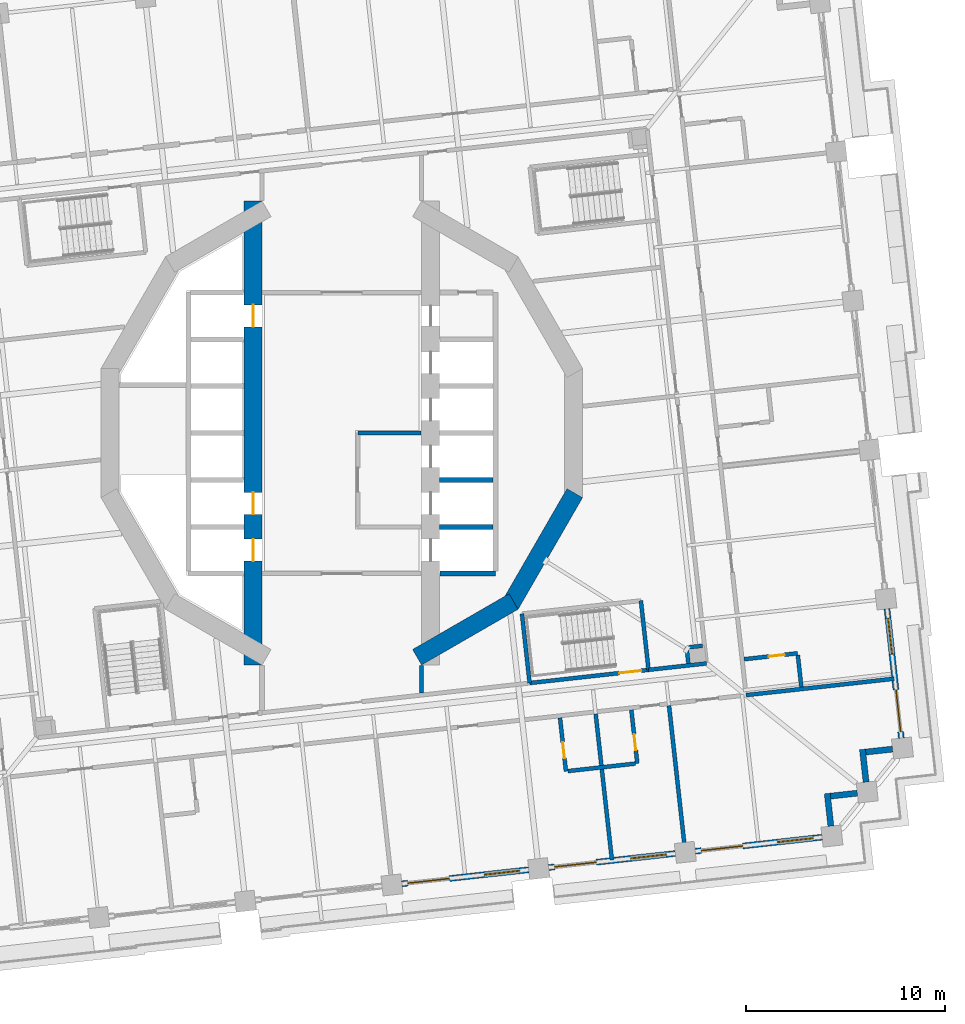
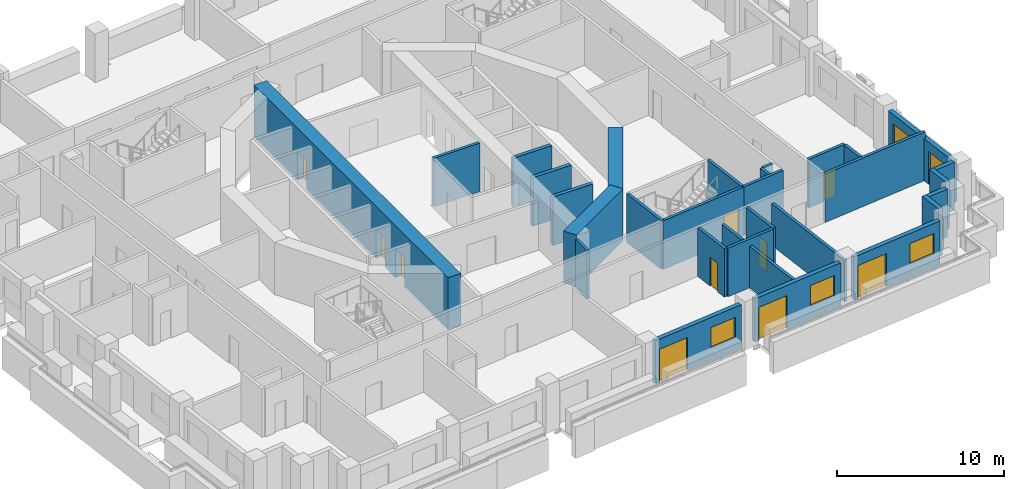
# One storey, part 6 of 19: 30 walls, 11 doors, 4 windows, 15 openings.
"""IFC4 building model written with IfcOpenShell, lengths in metres."""

import ifcopenshell
import ifcopenshell.guid

model = None  # the IFC model being written
_history = None  # IfcOwnerHistory: only IFC2X3 demands one
_inside = {}  # id of a spatial element -> (the spatial element, [elements in it])
_under = {}  # id of a project, library or spatial element -> (it, [spatial elements below it])
_declared = {}  # id of a project -> (the project, [libraries it declares])
_typed = {}  # id of a type object -> (the type object, [elements of that type])
_made_of = {}  # id of a material, layer set ... -> (it, [elements and type objects made of it])


def new_model(schema):
    """Start an empty IFC model of exactly this schema.

    Asked for "IFC4X3", IfcOpenShell would pick the latest addendum, in which some entities
    have other attributes; the version numbers below select the first issue.
    IFC2X3 requires an IfcOwnerHistory on every rooted entity: one is made here for all.
    """
    global model, _history
    if schema == "IFC4X3":
        model = ifcopenshell.file(schema_version=(4, 3, 0, 0))
    else:
        model = ifcopenshell.file(schema=schema)
    _inside.clear()
    _under.clear()
    _declared.clear()
    _typed.clear()
    _made_of.clear()
    _history = None
    if model.schema == "IFC2X3":
        org = make("IfcOrganization", Name="unknown")
        user = make(
            "IfcPersonAndOrganization",
            ThePerson=make("IfcPerson", FamilyName="unknown"),
            TheOrganization=org,
        )
        app = make(
            "IfcApplication",
            ApplicationDeveloper=org,
            Version="unknown",
            ApplicationFullName="unknown",
            ApplicationIdentifier="unknown",
        )
        _history = make(
            "IfcOwnerHistory",
            OwningUser=user,
            OwningApplication=app,
            ChangeAction="ADDED",
            CreationDate=0,
        )
    return model


def make(cls, **values):
    """One entity of the class cls with the attributes given. An attribute that is None is left unset."""
    return model.create_entity(
        cls, **{name: value for name, value in values.items() if value is not None}
    )


def rooted(cls, **values):
    """An entity with a GlobalId (a new one), such as an element, a storey or a relation."""
    return make(cls, GlobalId=ifcopenshell.guid.new(), OwnerHistory=_history, **values)


def si_unit(unit_type, name, prefix=None):
    """IfcSIUnit, for example si_unit("LENGTHUNIT", "METRE", prefix="MILLI")."""
    return make("IfcSIUnit", UnitType=unit_type, Prefix=prefix, Name=name)


def assignment(units):
    """IfcUnitAssignment: the units of a project."""
    return None if units is None else make("IfcUnitAssignment", Units=units)


def point(xyz):
    """IfcCartesianPoint."""
    return None if xyz is None else make("IfcCartesianPoint", Coordinates=xyz)


def direction(xyz):
    """IfcDirection."""
    return None if xyz is None else make("IfcDirection", DirectionRatios=xyz)


def frame(location, z_axis=None, x_axis=None):
    """IfcAxis2Placement3D, a coordinate frame: its origin and axes. An axis left out is left unset."""
    return make(
        "IfcAxis2Placement3D",
        Location=point(location),
        Axis=direction(z_axis),
        RefDirection=direction(x_axis),
    )


def frame_2d(location, x_axis=None):
    """IfcAxis2Placement2D, a coordinate frame in the plane: its origin and x axis."""
    return make(
        "IfcAxis2Placement2D", Location=point(location), RefDirection=direction(x_axis)
    )


def origin():
    """The frame at (0, 0, 0) with its axes left unset."""
    return frame((0.0, 0.0, 0.0))


def place(relative_to, where):
    """IfcLocalPlacement: puts the frame where relative to a parent placement (None: the world)."""
    return make(
        "IfcLocalPlacement", PlacementRelTo=relative_to, RelativePlacement=where
    )


def context(
    kind, dimensions, precision=None, world=None, true_north=None, identifier=None
):
    """IfcGeometricRepresentationContext, for example the 3D "Model" context."""
    return make(
        "IfcGeometricRepresentationContext",
        ContextIdentifier=identifier,
        ContextType=kind,
        CoordinateSpaceDimension=dimensions,
        Precision=precision,
        WorldCoordinateSystem=world,
        TrueNorth=true_north,
    )


def subcontext(parent, identifier, kind, view, scale=None):
    """IfcGeometricRepresentationSubContext, for example "Body" below "Model"."""
    return make(
        "IfcGeometricRepresentationSubContext",
        ContextIdentifier=identifier,
        ContextType=kind,
        ParentContext=parent,
        TargetScale=scale,
        TargetView=view,
    )


def project(units=None, contexts=None):
    """IfcProject with its units and contexts."""
    return rooted(
        "IfcProject",
        Name="project",
        RepresentationContexts=contexts,
        UnitsInContext=assignment(units),
    )


def spatial(cls, under=None, at=None, **own):
    """A site, building, storey or space (cls), placed at a placement, below another one or the project."""
    s = rooted(cls, ObjectPlacement=at, **own)
    if under is not None:
        _under.setdefault(under.id(), (under, []))[1].append(s)
    return s


def profile(cls, at=None, kind="AREA", **sizes):
    """A parametric profile (cls). Its sizes go by their IFC names, for example OverallWidth=200.0."""
    return make(cls, ProfileType=kind, Position=at, **sizes)


def rectangle(**sizes):
    """IfcRectangleProfileDef."""
    return profile("IfcRectangleProfileDef", **sizes)


def extrude(swept, where, along, depth):
    """IfcExtrudedAreaSolid: the profile swept, set in the frame where, extruded along a direction by depth."""
    return make(
        "IfcExtrudedAreaSolid",
        SweptArea=swept,
        Position=where,
        ExtrudedDirection=direction(along),
        Depth=depth,
    )


def shape(context_of_items, identifier, shape_type, items):
    """IfcShapeRepresentation: the items that make up one representation, for example the "Body"."""
    return make(
        "IfcShapeRepresentation",
        ContextOfItems=context_of_items,
        RepresentationIdentifier=identifier,
        RepresentationType=shape_type,
        Items=items,
    )


def material(Name=None, Category=None):
    """IfcMaterial."""
    return make("IfcMaterial", Name=Name, Category=Category)


def layer(
    of_material, thickness, ventilated=None, Name=None, Category=None, Priority=None
):
    """IfcMaterialLayer: one layer of a wall or slab, of a material (None: an air gap)."""
    return make(
        "IfcMaterialLayer",
        Material=of_material,
        LayerThickness=thickness,
        IsVentilated=ventilated,
        Name=Name,
        Category=Category,
        Priority=Priority,
    )


def layer_set(layers, Name=None):
    """IfcMaterialLayerSet."""
    return make("IfcMaterialLayerSet", MaterialLayers=layers, LayerSetName=Name)


def made_of(thing, what):
    """Note that an element or type object is made of a material, layer set ...; save() writes the relation."""
    if what is not None:
        _made_of.setdefault(what.id(), (what, []))[1].append(thing)
    return thing


def type_object(cls, material=None, **own):
    """A type object (cls), such as IfcWallType, which elements share."""
    return made_of(rooted(cls, **own), material)


def element(
    cls,
    number,
    at=None,
    inside=None,
    cuts=None,
    type_object=None,
    material=None,
    context=None,
    identifier="Body",
    shape_type=None,
    held_by="IfcProductDefinitionShape",
    body=None,
    shapes=None,
    **own,
):
    """One element of the class cls, such as IfcWall. Its Tag is "e" and its number.

    at: its placement. inside: the storey or other place that contains it. cuts: it is an
    opening in that element (IfcRelVoidsElement). A single representation is given by context,
    identifier, shape_type and body (its items); several are given by shapes. held_by: the class
    of the entity that holds the representations. save() writes the other relations.
    """
    e = rooted(cls, Tag="e%d" % number, ObjectPlacement=at, **own)
    if body is not None:
        shapes = [shape(context, identifier, shape_type, body)]
    if shapes is not None:
        e.Representation = make(held_by, Representations=shapes)
    if inside is not None:
        _inside.setdefault(inside.id(), (inside, []))[1].append(e)
    if cuts is not None:
        rooted(
            "IfcRelVoidsElement", RelatingBuildingElement=cuts, RelatedOpeningElement=e
        )
    if type_object is not None:
        _typed.setdefault(type_object.id(), (type_object, []))[1].append(e)
    return made_of(e, material)


def fill(opening, filler):
    """IfcRelFillsElement: the door or window that sits in an opening."""
    return rooted(
        "IfcRelFillsElement",
        RelatingOpeningElement=opening,
        RelatedBuildingElement=filler,
    )


def aggregate(whole, parts):
    """IfcRelAggregates: a whole, such as a stair, and the parts it consists of."""
    return rooted("IfcRelAggregates", RelatingObject=whole, RelatedObjects=parts)


def save(model, path):
    """Write the relations noted so far, then the file.

    IfcRelAggregates (storeys below a building ...), IfcRelContainedInSpatialStructure (elements
    in a storey), IfcRelDefinesByType, IfcRelAssociatesMaterial and IfcRelDeclares: one each for
    every whole, place, type object, material and project.
    """
    for whole, parts in _under.values():
        aggregate(whole, parts)
    for where, things in _inside.values():
        rooted(
            "IfcRelContainedInSpatialStructure",
            RelatedElements=things,
            RelatingStructure=where,
        )
    for kind, things in _typed.values():
        rooted("IfcRelDefinesByType", RelatedObjects=things, RelatingType=kind)
    for what, things in _made_of.values():
        rooted("IfcRelAssociatesMaterial", RelatedObjects=things, RelatingMaterial=what)
    for by, libraries in _declared.values():
        rooted("IfcRelDeclares", RelatingContext=by, RelatedDefinitions=libraries)
    model.write(path)


model = new_model("IFC4")

# Units and contexts
model_context = context("Model", 3, precision=1e-05, world=origin(), true_north=direction((0.0, 1.0)))
body_context = subcontext(model_context, "Body", "Model", "MODEL_VIEW")
ifc_project = project(units=[si_unit("LENGTHUNIT", "METRE"), si_unit("AREAUNIT", "SQUARE_METRE"), si_unit("VOLUMEUNIT", "CUBIC_METRE"), si_unit("PLANEANGLEUNIT", "RADIAN"), si_unit("MASSUNIT", "GRAM", prefix="KILO")], contexts=[model_context])

# Site, building, storey
site_placement = place(None, origin())
site = spatial("IfcSite", under=ifc_project, at=site_placement, CompositionType="ELEMENT")
building_placement = place(site_placement, origin())
building = spatial("IfcBuilding", under=site, at=building_placement, Name="Cantera Rosa Tower", CompositionType="ELEMENT")
storey_placement = place(building_placement, frame((0.0, 0.0, 53.89990234375)))
storey = spatial("IfcBuildingStorey", under=building, at=storey_placement, Name="L10", CompositionType="ELEMENT", Elevation=53.89990234375)

# Walls
ifc_material_1 = material(Name="Gypsum board partition")
ifc_layer_1 = layer(ifc_material_1, 0.199951171875)
ifc_layer_set_1 = layer_set([ifc_layer_1], Name="CORRIDOR WALL 200 H3550")
wall_type_1 = type_object("IfcWallType", Name="CORRIDOR WALL 200 H3550", PredefinedType="PARTITIONING", material=ifc_layer_set_1)
wall_1_placement = place(storey_placement, frame((4.0, -13.038818359375, 0.0), z_axis=(0.0, 0.0, 1.0), x_axis=(0.0, 1.0, 0.0)))
element("IfcWall", 1, at=wall_1_placement, inside=storey, type_object=wall_type_1, Name="CORRIDOR WALL L10-059", PredefinedType="PARTITIONING", context=body_context, shape_type="SweptSolid", body=[
    extrude(rectangle(XDim=1.37158203125, YDim=0.199951171875, at=frame_2d((0.685791015625, 0.0))), origin(), (0.0, 0.0, 1.0), 3.550048828125),
])
wall_2_placement = place(storey_placement, frame((15.382080078125, -11.87548828125, 0.0), z_axis=(0.0, 0.0, 1.0), x_axis=(0.993899009794, 0.110293963256, 0.0)))
element("IfcWall", 2, at=wall_2_placement, inside=storey, type_object=wall_type_1, Name="CORRIDOR WALL L10-086", PredefinedType="PARTITIONING", context=body_context, shape_type="SweptSolid", body=[
    extrude(rectangle(XDim=2.921875, YDim=0.199951171875, at=frame_2d((1.4609375, 0.0))), origin(), (0.0, 0.0, 1.0), 3.550048828125),
])
ifc_material_2 = material(Name="Hollow clay masonry with cantera stone cladding", Category="masonry")
ifc_layer_2 = layer(ifc_material_2, 0.300048828125)
ifc_layer_set_2 = layer_set([ifc_layer_2], Name="EW-LOGGIA 300")
wall_type_2 = type_object("IfcWallType", Name="EW-LOGGIA 300", PredefinedType="SOLIDWALL", material=ifc_layer_set_2)
wall_3_placement = place(storey_placement, frame((24.5244140625, -19.71484375, 0.0), z_axis=(0.0, 0.0, 1.0), x_axis=(-0.110236638423, 0.993905369514, 0.0)))
element("IfcWall", 3, at=wall_3_placement, inside=storey, type_object=wall_type_2, Name="EN-L10-W29a", PredefinedType="SOLIDWALL", context=body_context, shape_type="SweptSolid", body=[
    extrude(rectangle(XDim=1.64990234375, YDim=0.300048828125, at=frame_2d((0.824951171875, 0.0))), origin(), (0.0, 0.0, 1.0), 3.5),
])
wall_4_placement = place(storey_placement, frame((24.508056640625, -18.20751953125, 0.0), z_axis=(0.0, 0.0, 1.0), x_axis=(0.993896959738, 0.110312435488, 0.0)))
element("IfcWall", 4, at=wall_4_placement, inside=storey, type_object=wall_type_2, Name="EN-L10-W29b", PredefinedType="SOLIDWALL", context=body_context, shape_type="SweptSolid", body=[
    extrude(rectangle(XDim=1.35009765625, YDim=0.300048828125, at=frame_2d((0.675048828125, 0.0))), origin(), (0.0, 0.0, 1.0), 3.5),
])
wall_5_placement = place(storey_placement, frame((26.291748046875, -17.506591796875, 0.0), z_axis=(0.0, 0.0, 1.0), x_axis=(-0.110382805355, 0.993889146878, 0.0)))
element("IfcWall", 5, at=wall_5_placement, inside=storey, type_object=wall_type_2, Name="EN-L10-W30a", PredefinedType="SOLIDWALL", context=body_context, shape_type="SweptSolid", body=[
    extrude(rectangle(XDim=1.64990234375, YDim=0.300048828125, at=frame_2d((0.824951171875, 0.0))), origin(), (0.0, 0.0, 1.0), 3.5),
])
wall_6_placement = place(storey_placement, frame((26.275146484375, -15.999267578125, 0.0), z_axis=(0.0, 0.0, 1.0), x_axis=(0.993896959738, 0.110312435488, 0.0)))
element("IfcWall", 6, at=wall_6_placement, inside=storey, type_object=wall_type_2, Name="EN-L10-W30b", PredefinedType="SOLIDWALL", context=body_context, shape_type="SweptSolid", body=[
    extrude(rectangle(XDim=1.35009765625, YDim=0.300048828125, at=frame_2d((0.675048828125, 0.0))), origin(), (0.0, 0.0, 1.0), 3.5),
])

# Wall, openings, window, door
ifc_material_3 = material(Name="Hollow clay masonry with cantera stone cladding", Category="masonry")
ifc_layer_3 = layer(ifc_material_3, 0.300048828125)
ifc_layer_set_3 = layer_set([ifc_layer_3], Name="EW-LOGGIA 300 H3090")
wall_type_3 = type_object("IfcWallType", Name="EW-LOGGIA 300 H3090", PredefinedType="SOLIDWALL", material=ifc_layer_set_3)
wall_7_placement = place(storey_placement, frame((28.058837890625, -15.298095703125, 0.0), z_axis=(0.0, 0.0, 1.0), x_axis=(-0.110312341265, 0.993896970196, 0.0)))
wall_7 = element("IfcWall", 7, at=wall_7_placement, inside=storey, type_object=wall_type_3, Name="EN-L10-W01", PredefinedType="SOLIDWALL", context=body_context, shape_type="SweptSolid", body=[
    extrude(rectangle(XDim=6.52001953125, YDim=0.300048828125, at=frame_2d((3.260009765625, 0.0))), origin(), (0.0, 0.0, 1.0), 3.090087890625),
])
opening_1_placement = place(wall_7_placement, frame((0.330078125, 0.0, 0.0)))
opening_1 = element("IfcOpeningElement", 8, at=opening_1_placement, cuts=wall_7, Name="Opening L10-TD01", PredefinedType="OPENING", context=body_context, shape_type="SweptSolid", body=[
    extrude(rectangle(XDim=2.10009765625, YDim=2.39990234375, at=frame_2d((1.050048828125, 1.199951171875))), frame((0.0, 0.159912109375, 0.0), z_axis=(0.0, -1.0, 0.0), x_axis=(1.0, 0.0, 0.0)), (0.0, 0.0, 1.0), 0.320068359375),
])
opening_2_placement = place(wall_7_placement, frame((4.239990234375, 0.0, 0.89990234375)))
opening_2 = element("IfcOpeningElement", 9, at=opening_2_placement, cuts=wall_7, Name="Opening L10-W02", PredefinedType="OPENING", context=body_context, shape_type="SweptSolid", body=[
    extrude(rectangle(XDim=1.800048828125, YDim=1.5, at=frame_2d((0.89990234375, 0.75))), frame((0.0, 0.159912109375, 0.0), z_axis=(0.0, -1.0, 0.0), x_axis=(1.0, 0.0, 0.0)), (0.0, 0.0, 1.0), 0.320068359375),
])
ifc_material_4 = material(Name="Aluminium frame with clear glass", Category="aluminium")
window_type = type_object("IfcWindowType", Name="Hotel room window 1800x1500", PartitioningType="DOUBLE_PANEL_VERTICAL", PredefinedType="WINDOW", material=ifc_material_4)
window_1_placement = place(opening_2_placement, origin())
window_1 = element("IfcWindow", 10, at=window_1_placement, inside=storey, type_object=window_type, Name="WINDOW L10-W02", OverallHeight=1.5, OverallWidth=1.800048828125, PartitioningType="SINGLE_PANEL", PredefinedType="WINDOW", context=body_context, shape_type="SweptSolid", body=[
    extrude(rectangle(XDim=1.800048828125, YDim=1.5, at=frame_2d((0.89990234375, 0.75))), frame((0.0, 0.030029296875, 0.0), z_axis=(0.0, -1.0, 0.0), x_axis=(1.0, 0.0, 0.0)), (0.0, 0.0, 1.0), 0.06005859375),
])
fill(opening_2, window_1)
ifc_material_5 = material(Name="Aluminium frame with clear glass", Category="aluminium")
door_type_1 = type_object("IfcDoorType", Name="TD-H 2100x2400", OperationType="NOTDEFINED", PredefinedType="DOOR", material=ifc_material_5)
door_1_placement = place(opening_1_placement, origin())
door_1 = element("IfcDoor", 11, at=door_1_placement, inside=storey, type_object=door_type_1, Name="LOGGIA DOOR L10-TD01", OperationType="SLIDING_TO_LEFT", OverallHeight=2.39990234375, OverallWidth=2.10009765625, PredefinedType="DOOR", context=body_context, shape_type="SweptSolid", body=[
    extrude(rectangle(XDim=2.10009765625, YDim=2.39990234375, at=frame_2d((1.050048828125, 1.199951171875))), frame((0.0, 0.02490234375, 0.0), z_axis=(0.0, -1.0, 0.0), x_axis=(1.0, 0.0, 0.0)), (0.0, 0.0, 1.0), 0.050048828125),
])
fill(opening_1, door_1)

ifc_material_6 = material(Name="Hollow clay masonry with cantera stone cladding", Category="masonry")
ifc_layer_4 = layer(ifc_material_6, 0.300048828125)
ifc_layer_set_4 = layer_set([ifc_layer_4], Name="EW-LOGGIA 300 H3140")
wall_type_4 = type_object("IfcWallType", Name="EW-LOGGIA 300 H3140", PredefinedType="SOLIDWALL", material=ifc_layer_set_4)
wall_8_placement = place(storey_placement, frame((3.011962890625, -22.605712890625, 0.0), z_axis=(0.0, 0.0, 1.0), x_axis=(0.993896288542, 0.110318482689, 0.0)))
wall_8 = element("IfcWall", 12, at=wall_8_placement, inside=storey, type_object=wall_type_4, Name="EN-L10-W26", PredefinedType="SOLIDWALL", context=body_context, shape_type="SweptSolid", body=[
    extrude(rectangle(XDim=6.400146484375, YDim=0.300048828125, at=frame_2d((3.2001953125, 0.0))), origin(), (0.0, 0.0, 1.0), 3.14013671875),
])
opening_3_placement = place(wall_8_placement, frame((0.300048828125, 0.0, 0.0)))
opening_3 = element("IfcOpeningElement", 13, at=opening_3_placement, cuts=wall_8, Name="Opening L10-TD35", PredefinedType="OPENING", context=body_context, shape_type="SweptSolid", body=[
    extrude(rectangle(XDim=2.10009765625, YDim=2.39990234375, at=frame_2d((1.050048828125, 1.199951171875))), frame((0.0, 0.159912109375, 0.0), z_axis=(0.0, -1.0, 0.0), x_axis=(1.0, 0.0, 0.0)), (0.0, 0.0, 1.0), 0.320068359375),
])
opening_4_placement = place(wall_8_placement, frame((4.14990234375, 0.0, 0.89990234375)))
opening_4 = element("IfcOpeningElement", 14, at=opening_4_placement, cuts=wall_8, Name="Opening L10-W36", PredefinedType="OPENING", context=body_context, shape_type="SweptSolid", body=[
    extrude(rectangle(XDim=1.800048828125, YDim=1.5, at=frame_2d((0.89990234375, 0.75))), frame((0.0, 0.159912109375, 0.0), z_axis=(0.0, -1.0, 0.0), x_axis=(1.0, 0.0, 0.0)), (0.0, 0.0, 1.0), 0.320068359375),
])
window_2_placement = place(opening_4_placement, origin())
window_2 = element("IfcWindow", 15, at=window_2_placement, inside=storey, type_object=window_type, Name="WINDOW L10-W36", OverallHeight=1.5, OverallWidth=1.800048828125, PartitioningType="SINGLE_PANEL", PredefinedType="WINDOW", context=body_context, shape_type="SweptSolid", body=[
    extrude(rectangle(XDim=1.800048828125, YDim=1.5, at=frame_2d((0.89990234375, 0.75))), frame((0.0, 0.030029296875, 0.0), z_axis=(0.0, -1.0, 0.0), x_axis=(1.0, 0.0, 0.0)), (0.0, 0.0, 1.0), 0.06005859375),
])
fill(opening_4, window_2)
door_2_placement = place(opening_3_placement, origin())
door_2 = element("IfcDoor", 16, at=door_2_placement, inside=storey, type_object=door_type_1, Name="LOGGIA DOOR L10-TD35", OperationType="SLIDING_TO_LEFT", OverallHeight=2.39990234375, OverallWidth=2.10009765625, PredefinedType="DOOR", context=body_context, shape_type="SweptSolid", body=[
    extrude(rectangle(XDim=2.10009765625, YDim=2.39990234375, at=frame_2d((1.050048828125, 1.199951171875))), frame((0.0, 0.02490234375, 0.0), z_axis=(0.0, -1.0, 0.0), x_axis=(1.0, 0.0, 0.0)), (0.0, 0.0, 1.0), 0.050048828125),
])
fill(opening_3, door_2)

wall_9_placement = place(storey_placement, frame((10.366943359375, -21.789306640625, 0.0), z_axis=(0.0, 0.0, 1.0), x_axis=(0.993900006422, 0.110284981906, 0.0)))
wall_9 = element("IfcWall", 17, at=wall_9_placement, inside=storey, type_object=wall_type_4, Name="EN-L10-W27", PredefinedType="SOLIDWALL", context=body_context, shape_type="SweptSolid", body=[
    extrude(rectangle(XDim=6.39990234375, YDim=0.300048828125, at=frame_2d((3.199951171875, 0.0))), origin(), (0.0, 0.0, 1.0), 3.14013671875),
])
opening_5_placement = place(wall_9_placement, frame((0.300048828125, 0.0, 0.0)))
opening_5 = element("IfcOpeningElement", 18, at=opening_5_placement, cuts=wall_9, Name="Opening L10-TD37", PredefinedType="OPENING", context=body_context, shape_type="SweptSolid", body=[
    extrude(rectangle(XDim=2.10009765625, YDim=2.39990234375, at=frame_2d((1.050048828125, 1.199951171875))), frame((0.0, 0.159912109375, 0.0), z_axis=(0.0, -1.0, 0.0), x_axis=(1.0, 0.0, 0.0)), (0.0, 0.0, 1.0), 0.320068359375),
])
opening_6_placement = place(wall_9_placement, frame((4.14990234375, 0.0, 0.89990234375)))
opening_6 = element("IfcOpeningElement", 19, at=opening_6_placement, cuts=wall_9, Name="Opening L10-W38", PredefinedType="OPENING", context=body_context, shape_type="SweptSolid", body=[
    extrude(rectangle(XDim=1.800048828125, YDim=1.5, at=frame_2d((0.89990234375, 0.75))), frame((0.0, 0.159912109375, 0.0), z_axis=(0.0, -1.0, 0.0), x_axis=(1.0, 0.0, 0.0)), (0.0, 0.0, 1.0), 0.320068359375),
])
window_3_placement = place(opening_6_placement, origin())
window_3 = element("IfcWindow", 20, at=window_3_placement, inside=storey, type_object=window_type, Name="WINDOW L10-W38", OverallHeight=1.5, OverallWidth=1.800048828125, PartitioningType="SINGLE_PANEL", PredefinedType="WINDOW", context=body_context, shape_type="SweptSolid", body=[
    extrude(rectangle(XDim=1.800048828125, YDim=1.5, at=frame_2d((0.89990234375, 0.75))), frame((0.0, 0.030029296875, 0.0), z_axis=(0.0, -1.0, 0.0), x_axis=(1.0, 0.0, 0.0)), (0.0, 0.0, 1.0), 0.06005859375),
])
fill(opening_6, window_3)
door_3_placement = place(opening_5_placement, origin())
door_3 = element("IfcDoor", 21, at=door_3_placement, inside=storey, type_object=door_type_1, Name="LOGGIA DOOR L10-TD37", OperationType="SLIDING_TO_LEFT", OverallHeight=2.39990234375, OverallWidth=2.10009765625, PredefinedType="DOOR", context=body_context, shape_type="SweptSolid", body=[
    extrude(rectangle(XDim=2.10009765625, YDim=2.39990234375, at=frame_2d((1.050048828125, 1.199951171875))), frame((0.0, 0.02490234375, 0.0), z_axis=(0.0, -1.0, 0.0), x_axis=(1.0, 0.0, 0.0)), (0.0, 0.0, 1.0), 0.050048828125),
])
fill(opening_5, door_3)

wall_10_placement = place(storey_placement, frame((17.7216796875, -20.97314453125, 0.0), z_axis=(0.0, 0.0, 1.0), x_axis=(0.993896288542, 0.110318482689, 0.0)))
wall_10 = element("IfcWall", 22, at=wall_10_placement, inside=storey, type_object=wall_type_4, Name="EN-L10-W28", PredefinedType="SOLIDWALL", context=body_context, shape_type="SweptSolid", body=[
    extrude(rectangle(XDim=6.400146484375, YDim=0.300048828125, at=frame_2d((3.2001953125, 0.0))), origin(), (0.0, 0.0, 1.0), 3.14013671875),
])
opening_7_placement = place(wall_10_placement, frame((0.300048828125, 0.0, 0.0)))
opening_7 = element("IfcOpeningElement", 23, at=opening_7_placement, cuts=wall_10, Name="Opening L10-TD39", PredefinedType="OPENING", context=body_context, shape_type="SweptSolid", body=[
    extrude(rectangle(XDim=2.10009765625, YDim=2.39990234375, at=frame_2d((1.050048828125, 1.199951171875))), frame((0.0, 0.159912109375, 0.0), z_axis=(0.0, -1.0, 0.0), x_axis=(1.0, 0.0, 0.0)), (0.0, 0.0, 1.0), 0.320068359375),
])
opening_8_placement = place(wall_10_placement, frame((4.14990234375, 0.0, 0.89990234375)))
opening_8 = element("IfcOpeningElement", 24, at=opening_8_placement, cuts=wall_10, Name="Opening L10-W40", PredefinedType="OPENING", context=body_context, shape_type="SweptSolid", body=[
    extrude(rectangle(XDim=1.800048828125, YDim=1.5, at=frame_2d((0.89990234375, 0.75))), frame((0.0, 0.159912109375, 0.0), z_axis=(0.0, -1.0, 0.0), x_axis=(1.0, 0.0, 0.0)), (0.0, 0.0, 1.0), 0.320068359375),
])
window_4_placement = place(opening_8_placement, origin())
window_4 = element("IfcWindow", 25, at=window_4_placement, inside=storey, type_object=window_type, Name="WINDOW L10-W40", OverallHeight=1.5, OverallWidth=1.800048828125, PartitioningType="SINGLE_PANEL", PredefinedType="WINDOW", context=body_context, shape_type="SweptSolid", body=[
    extrude(rectangle(XDim=1.800048828125, YDim=1.5, at=frame_2d((0.89990234375, 0.75))), frame((0.0, 0.030029296875, 0.0), z_axis=(0.0, -1.0, 0.0), x_axis=(1.0, 0.0, 0.0)), (0.0, 0.0, 1.0), 0.06005859375),
])
fill(opening_8, window_4)
door_4_placement = place(opening_7_placement, origin())
door_4 = element("IfcDoor", 26, at=door_4_placement, inside=storey, type_object=door_type_1, Name="LOGGIA DOOR L10-TD39", OperationType="SLIDING_TO_LEFT", OverallHeight=2.39990234375, OverallWidth=2.10009765625, PredefinedType="DOOR", context=body_context, shape_type="SweptSolid", body=[
    extrude(rectangle(XDim=2.10009765625, YDim=2.39990234375, at=frame_2d((1.050048828125, 1.199951171875))), frame((0.0, 0.02490234375, 0.0), z_axis=(0.0, -1.0, 0.0), x_axis=(1.0, 0.0, 0.0)), (0.0, 0.0, 1.0), 0.050048828125),
])
fill(opening_7, door_4)

# Wall, opening, door
ifc_material_7 = material(Name="Gypsum board partition")
ifc_layer_5 = layer(ifc_material_7, 0.199951171875)
ifc_layer_set_5 = layer_set([ifc_layer_5], Name="PARTITION 200 H3550")
wall_type_5 = type_object("IfcWallType", Name="PARTITION 200 H3550", PredefinedType="PARTITIONING", material=ifc_layer_set_5)
wall_11_placement = place(storey_placement, frame((11.239990234375, -16.963623046875, 0.0), z_axis=(0.0, 0.0, 1.0), x_axis=(-0.110312435488, 0.993896959738, 0.0)))
wall_11 = element("IfcWall", 27, at=wall_11_placement, inside=storey, type_object=wall_type_5, Name="PARTITION L10-074", PredefinedType="PARTITIONING", context=body_context, shape_type="SweptSolid", body=[
    extrude(rectangle(XDim=2.699951171875, YDim=0.199951171875, at=frame_2d((1.35009765625, 0.0))), origin(), (0.0, 0.0, 1.0), 3.550048828125),
])
opening_9_placement = place(wall_11_placement, frame((0.6640625, 0.0, 0.0)))
opening_9 = element("IfcOpeningElement", 28, at=opening_9_placement, cuts=wall_11, Name="Opening L10-043", PredefinedType="OPENING", context=body_context, shape_type="SweptSolid", body=[
    extrude(rectangle(XDim=0.800048828125, YDim=2.10009765625, at=frame_2d((0.39990234375, 1.050048828125))), frame((0.0, 0.10986328125, 0.0), z_axis=(0.0, -1.0, 0.0), x_axis=(1.0, 0.0, 0.0)), (0.0, 0.0, 1.0), 0.219970703125),
])
ifc_material_8 = material(Name="Timber door leaf", Category="wood")
door_type_2 = type_object("IfcDoorType", Name="BATHROOM DOOR 800x2100", OperationType="NOTDEFINED", PredefinedType="DOOR", material=ifc_material_8)
door_5_placement = place(opening_9_placement, origin())
door_5 = element("IfcDoor", 29, at=door_5_placement, inside=storey, type_object=door_type_2, Name="DOOR L10-043", OperationType="NOTDEFINED", OverallHeight=2.10009765625, OverallWidth=0.800048828125, PredefinedType="DOOR", context=body_context, shape_type="SweptSolid", body=[
    extrude(rectangle(XDim=0.800048828125, YDim=2.10009765625, at=frame_2d((0.39990234375, 1.050048828125))), frame((0.0, 0.02490234375, 0.0), z_axis=(0.0, -1.0, 0.0), x_axis=(1.0, 0.0, 0.0)), (0.0, 0.0, 1.0), 0.050048828125),
])
fill(opening_9, door_5)

wall_12_placement = place(storey_placement, frame((14.52001953125, -13.883056640625, 0.0), z_axis=(0.0, 0.0, 1.0), x_axis=(0.110322349952, -0.993895859284, 0.0)))
wall_12 = element("IfcWall", 30, at=wall_12_placement, inside=storey, type_object=wall_type_5, Name="PARTITION L10-080", PredefinedType="PARTITIONING", context=body_context, shape_type="SweptSolid", body=[
    extrude(rectangle(XDim=2.699951171875, YDim=0.199951171875, at=frame_2d((1.35009765625, 0.0))), origin(), (0.0, 0.0, 1.0), 3.550048828125),
])
opening_10_placement = place(wall_12_placement, frame((1.236083984375, 0.0, 0.0)))
opening_10 = element("IfcOpeningElement", 31, at=opening_10_placement, cuts=wall_12, Name="Opening L10-045", PredefinedType="OPENING", context=body_context, shape_type="SweptSolid", body=[
    extrude(rectangle(XDim=0.800048828125, YDim=2.10009765625, at=frame_2d((0.39990234375, 1.050048828125))), frame((0.0, 0.10986328125, 0.0), z_axis=(0.0, -1.0, 0.0), x_axis=(1.0, 0.0, 0.0)), (0.0, 0.0, 1.0), 0.219970703125),
])
door_6_placement = place(opening_10_placement, origin())
door_6 = element("IfcDoor", 32, at=door_6_placement, inside=storey, type_object=door_type_2, Name="DOOR L10-045", OperationType="NOTDEFINED", OverallHeight=2.10009765625, OverallWidth=0.800048828125, PredefinedType="DOOR", context=body_context, shape_type="SweptSolid", body=[
    extrude(rectangle(XDim=0.800048828125, YDim=2.10009765625, at=frame_2d((0.39990234375, 1.050048828125))), frame((0.0, 0.02490234375, 0.0), z_axis=(0.0, -1.0, 0.0), x_axis=(1.0, 0.0, 0.0)), (0.0, 0.0, 1.0), 0.050048828125),
])
fill(opening_10, door_6)

# Walls
wall_13_placement = place(storey_placement, frame((14.718505859375, -16.577392578125, 0.0), z_axis=(0.0, 0.0, 1.0), x_axis=(-0.993890738306, -0.110368475166, 0.0)))
element("IfcWall", 33, at=wall_13_placement, inside=storey, type_object=wall_type_5, Name="PARTITION L10-082", PredefinedType="PARTITIONING", context=body_context, shape_type="SweptSolid", body=[
    extrude(rectangle(XDim=3.39990234375, YDim=0.199951171875, at=frame_2d((1.699951171875, 0.0))), origin(), (0.0, 0.0, 1.0), 3.550048828125),
])
wall_14_placement = place(storey_placement, frame((17.292236328125, -10.758056640625, 0.0), z_axis=(0.0, 0.0, 1.0), x_axis=(0.110465018303, -0.993880012744, 0.0)))
element("IfcWall", 34, at=wall_14_placement, inside=storey, type_object=wall_type_5, Name="PARTITION L10-096", PredefinedType="PARTITIONING", context=body_context, shape_type="SweptSolid", body=[
    extrude(rectangle(XDim=0.800048828125, YDim=0.199951171875, at=frame_2d((0.39990234375, 0.0))), origin(), (0.0, 0.0, 1.0), 3.550048828125),
])
wall_15_placement = place(storey_placement, frame((18.08740234375, -10.669921875, 0.0), z_axis=(0.0, 0.0, 1.0), x_axis=(-0.993909225707, -0.110201865026, 0.0)))
element("IfcWall", 35, at=wall_15_placement, inside=storey, type_object=wall_type_5, Name="PARTITION L10-098", PredefinedType="PARTITIONING", context=body_context, shape_type="SweptSolid", body=[
    extrude(rectangle(XDim=0.699951171875, YDim=0.199951171875, at=frame_2d((0.35009765625, 0.0))), origin(), (0.0, 0.0, 1.0), 3.550048828125),
])

# Wall, opening, door
wall_16_placement = place(storey_placement, frame((20.174560546875, -11.34375, 0.0), z_axis=(0.0, 0.0, 1.0), x_axis=(0.993895859284, 0.110322349952, 0.0)))
wall_16 = element("IfcWall", 36, at=wall_16_placement, inside=storey, type_object=wall_type_5, Name="PARTITION L10-102", PredefinedType="PARTITIONING", context=body_context, shape_type="SweptSolid", body=[
    extrude(rectangle(XDim=2.699951171875, YDim=0.199951171875, at=frame_2d((1.35009765625, 0.0))), origin(), (0.0, 0.0, 1.0), 3.550048828125),
])
opening_11_placement = place(wall_16_placement, frame((1.236083984375, 0.0, 0.0)))
opening_11 = element("IfcOpeningElement", 37, at=opening_11_placement, cuts=wall_16, Name="Opening L10-020", PredefinedType="OPENING", context=body_context, shape_type="SweptSolid", body=[
    extrude(rectangle(XDim=0.800048828125, YDim=2.10009765625, at=frame_2d((0.39990234375, 1.050048828125))), frame((0.0, 0.10986328125, 0.0), z_axis=(0.0, -1.0, 0.0), x_axis=(1.0, 0.0, 0.0)), (0.0, 0.0, 1.0), 0.219970703125),
])
door_7_placement = place(opening_11_placement, origin())
door_7 = element("IfcDoor", 38, at=door_7_placement, inside=storey, type_object=door_type_2, Name="DOOR L10-020", OperationType="NOTDEFINED", OverallHeight=2.10009765625, OverallWidth=0.800048828125, PredefinedType="DOOR", context=body_context, shape_type="SweptSolid", body=[
    extrude(rectangle(XDim=0.800048828125, YDim=2.10009765625, at=frame_2d((0.39990234375, 1.050048828125))), frame((0.0, 0.02490234375, 0.0), z_axis=(0.0, -1.0, 0.0), x_axis=(1.0, 0.0, 0.0)), (0.0, 0.0, 1.0), 0.050048828125),
])
fill(opening_11, door_7)

# Walls
wall_17_placement = place(storey_placement, frame((22.868896484375, -11.145263671875, 0.0), z_axis=(0.0, 0.0, 1.0), x_axis=(0.110314300314, -0.99389675276, 0.0)))
element("IfcWall", 39, at=wall_17_placement, inside=storey, type_object=wall_type_5, Name="PARTITION L10-107", PredefinedType="PARTITIONING", context=body_context, shape_type="SweptSolid", body=[
    extrude(rectangle(XDim=1.60009765625, YDim=0.199951171875, at=frame_2d((0.800048828125, 0.0))), origin(), (0.0, 0.0, 1.0), 3.550048828125),
])
ifc_material_9 = material(Name="Gypsum board partition")
ifc_layer_6 = layer(ifc_material_9, 0.199951171875)
ifc_layer_set_6 = layer_set([ifc_layer_6], Name="PARTY WALL 200 H3050")
wall_type_6 = type_object("IfcWallType", Name="PARTY WALL 200 H3050", PredefinedType="PARTITIONING", material=ifc_layer_set_6)
for number, where, z_axis, x_axis, name in (
    (40, (12.731201171875, -14.08154296875, 0.0), (0.0, 0.0, 1.0), (0.11031154238, -0.993897058864, 0.0), "PARTY WALL L10-076"),
    (41, (16.408447265625, -13.67333984375, 0.0), (0.0, 0.0, 1.0), (0.11031154238, -0.993897058864, 0.0), "PARTY WALL L10-090"),
):
    element("IfcWall", number, at=place(storey_placement, frame(where, z_axis=z_axis, x_axis=x_axis)), inside=storey, type_object=wall_type_6, Name=name, PredefinedType="PARTITIONING", context=body_context, shape_type="SweptSolid", body=[
        extrude(rectangle(XDim=7.369873046875, YDim=0.199951171875, at=frame_2d((3.68505859375, 0.0))), origin(), (0.0, 0.0, 1.0), 3.050048828125),
    ])
ifc_material_10 = material(Name="Gypsum board partition")
ifc_layer_7 = layer(ifc_material_10, 0.199951171875)
ifc_layer_set_7 = layer_set([ifc_layer_7], Name="PARTY WALL 200 H3550")
wall_type_7 = type_object("IfcWallType", Name="PARTY WALL 200 H3550", PredefinedType="PARTITIONING", material=ifc_layer_set_7)
wall_18_placement = place(storey_placement, frame((27.697998046875, -12.319580078125, 0.0), z_axis=(0.0, 0.0, 1.0), x_axis=(-0.993894093242, -0.110338259085, 0.0)))
element("IfcWall", 42, at=wall_18_placement, inside=storey, type_object=wall_type_7, Name="PARTY WALL L10-108", PredefinedType="PARTITIONING", context=body_context, shape_type="SweptSolid", body=[
    extrude(rectangle(XDim=7.469970703125, YDim=0.199951171875, at=frame_2d((3.73486328125, 0.0))), origin(), (0.0, 0.0, 1.0), 3.550048828125),
])

# Wall, openings, doors
ifc_material_11 = material(Name="Concrete C70/85", Category="concrete")
ifc_layer_8 = layer(ifc_material_11, 0.89990234375)
ifc_layer_set_8 = layer_set([ifc_layer_8], Name="RC CORE WALL 900 C70/85")
wall_type_8 = type_object("IfcWallType", Name="RC CORE WALL 900 C70/85", PredefinedType="SHEAR", material=ifc_layer_set_8)
wall_19_placement = place(storey_placement, frame((-4.449951171875, 11.632568359375, 0.0), z_axis=(0.0, 0.0, 1.0), x_axis=(0.0, -1.0, 0.0)))
wall_19 = element("IfcWall", 43, at=wall_19_placement, inside=storey, type_object=wall_type_8, Name="CW-W6 L10", PredefinedType="SHEAR", context=body_context, shape_type="SweptSolid", body=[
    extrude(rectangle(XDim=23.26513671875, YDim=0.89990234375, at=frame_2d((11.632568359375, 0.0))), origin(), (0.0, 0.0, 1.0), 3.800048828125),
])
opening_12_placement = place(wall_19_placement, frame((14.607421875, 0.0, 0.0)))
opening_12 = element("IfcOpeningElement", 44, at=opening_12_placement, cuts=wall_19, Name="Opening LD-P3-L10", PredefinedType="OPENING", context=body_context, shape_type="SweptSolid", body=[
    extrude(rectangle(XDim=1.10009765625, YDim=2.10009765625, at=frame_2d((0.550048828125, 1.050048828125))), frame((0.0, 0.4599609375, 0.0), z_axis=(0.0, -1.0, 0.0), x_axis=(1.0, 0.0, 0.0)), (0.0, 0.0, 1.0), 0.919921875),
])
opening_13_placement = place(wall_19_placement, frame((16.95751953125, 0.0, 0.0)))
opening_13 = element("IfcOpeningElement", 45, at=opening_13_placement, cuts=wall_19, Name="Opening LD-P4-L10", PredefinedType="OPENING", context=body_context, shape_type="SweptSolid", body=[
    extrude(rectangle(XDim=1.10009765625, YDim=2.10009765625, at=frame_2d((0.550048828125, 1.050048828125))), frame((0.0, 0.4599609375, 0.0), z_axis=(0.0, -1.0, 0.0), x_axis=(1.0, 0.0, 0.0)), (0.0, 0.0, 1.0), 0.919921875),
])
opening_14_placement = place(wall_19_placement, frame((5.20751953125, 0.0, 0.0)))
opening_14 = element("IfcOpeningElement", 46, at=opening_14_placement, cuts=wall_19, Name="Opening LD-P5-L10", PredefinedType="OPENING", context=body_context, shape_type="SweptSolid", body=[
    extrude(rectangle(XDim=1.10009765625, YDim=2.10009765625, at=frame_2d((0.550048828125, 1.050048828125))), frame((0.0, 0.4599609375, 0.0), z_axis=(0.0, -1.0, 0.0), x_axis=(1.0, 0.0, 0.0)), (0.0, 0.0, 1.0), 0.919921875),
])
ifc_material_12 = material(Name="Steel S355J2 (EN 10025-2)", Category="steel")
door_type_3 = type_object("IfcDoorType", Name="LANDING DOOR 1100x2100", OperationType="NOTDEFINED", PredefinedType="DOOR", material=ifc_material_12)
door_8_placement = place(opening_12_placement, origin())
door_8 = element("IfcDoor", 47, at=door_8_placement, inside=storey, type_object=door_type_3, Name="LANDING DOOR P3 L10", OperationType="SLIDING_TO_LEFT", OverallHeight=2.10009765625, OverallWidth=1.10009765625, PredefinedType="DOOR", context=body_context, shape_type="SweptSolid", body=[
    extrude(rectangle(XDim=1.10009765625, YDim=2.10009765625, at=frame_2d((0.550048828125, 1.050048828125))), frame((0.0, 0.02490234375, 0.0), z_axis=(0.0, -1.0, 0.0), x_axis=(1.0, 0.0, 0.0)), (0.0, 0.0, 1.0), 0.050048828125),
])
fill(opening_12, door_8)
door_9_placement = place(opening_13_placement, origin())
door_9 = element("IfcDoor", 48, at=door_9_placement, inside=storey, type_object=door_type_3, Name="LANDING DOOR P4 L10", OperationType="SLIDING_TO_LEFT", OverallHeight=2.10009765625, OverallWidth=1.10009765625, PredefinedType="DOOR", context=body_context, shape_type="SweptSolid", body=[
    extrude(rectangle(XDim=1.10009765625, YDim=2.10009765625, at=frame_2d((0.550048828125, 1.050048828125))), frame((0.0, 0.02490234375, 0.0), z_axis=(0.0, -1.0, 0.0), x_axis=(1.0, 0.0, 0.0)), (0.0, 0.0, 1.0), 0.050048828125),
])
fill(opening_13, door_9)
door_10_placement = place(opening_14_placement, origin())
door_10 = element("IfcDoor", 49, at=door_10_placement, inside=storey, type_object=door_type_3, Name="LANDING DOOR P5 L10", OperationType="SLIDING_TO_LEFT", OverallHeight=2.10009765625, OverallWidth=1.10009765625, PredefinedType="DOOR", context=body_context, shape_type="SweptSolid", body=[
    extrude(rectangle(XDim=1.10009765625, YDim=2.10009765625, at=frame_2d((0.550048828125, 1.050048828125))), frame((0.0, 0.02490234375, 0.0), z_axis=(0.0, -1.0, 0.0), x_axis=(1.0, 0.0, 0.0)), (0.0, 0.0, 1.0), 0.050048828125),
])
fill(opening_14, door_10)

# Walls
wall_20_placement = place(storey_placement, frame((11.684326171875, -3.01025390625, 0.0), z_axis=(0.0, 0.0, 1.0), x_axis=(-0.499990282633, -0.866031014036, 0.0)))
element("IfcWall", 50, at=wall_20_placement, inside=storey, type_object=wall_type_8, Name="CW-E4 L10", PredefinedType="SHEAR", context=body_context, shape_type="SweptSolid", body=[
    extrude(rectangle(XDim=6.470458984375, YDim=0.89990234375, at=frame_2d((3.2353515625, 0.0))), origin(), (0.0, 0.0, 1.0), 3.800048828125),
])
wall_21_placement = place(storey_placement, frame((8.61376953125, -8.44921875, 0.0), z_axis=(0.0, 0.0, 1.0), x_axis=(-0.866026961591, -0.49999730179, 0.0)))
element("IfcWall", 51, at=wall_21_placement, inside=storey, type_object=wall_type_8, Name="CW-E5 L10", PredefinedType="SHEAR", context=body_context, shape_type="SweptSolid", body=[
    extrude(rectangle(XDim=5.58740234375, YDim=0.89990234375, at=frame_2d((2.793701171875, 0.0))), origin(), (0.0, 0.0, 1.0), 3.800048828125),
])
ifc_material_13 = material(Name="Masonry blockwork", Category="masonry")
ifc_layer_9 = layer(ifc_material_13, 0.25)
ifc_layer_set_9 = layer_set([ifc_layer_9], Name="SHAFT WALL 250 H3550")
wall_type_9 = type_object("IfcWallType", Name="SHAFT WALL 250 H3550", PredefinedType="SOLIDWALL", material=ifc_layer_set_9)
wall_22_placement = place(storey_placement, frame((4.89990234375, -4.699951171875, 0.0), z_axis=(0.0, 0.0, 1.0), x_axis=(1.0, 0.0, 0.0)))
element("IfcWall", 52, at=wall_22_placement, inside=storey, type_object=wall_type_9, Name="SHAFT WALL L10-061", PredefinedType="SOLIDWALL", context=body_context, shape_type="SweptSolid", body=[
    extrude(rectangle(XDim=2.675048828125, YDim=0.25, at=frame_2d((1.33740234375, 0.0))), origin(), (0.0, 0.0, 1.0), 3.550048828125),
])
wall_23_placement = place(storey_placement, frame((4.929931640625, -7.050048828125, 0.0), z_axis=(0.0, 0.0, 1.0), x_axis=(1.0, 0.0, 0.0)))
element("IfcWall", 53, at=wall_23_placement, inside=storey, type_object=wall_type_9, Name="SHAFT WALL L10-063", PredefinedType="SOLIDWALL", context=body_context, shape_type="SweptSolid", body=[
    extrude(rectangle(XDim=2.77001953125, YDim=0.25, at=frame_2d((1.385009765625, 0.0))), origin(), (0.0, 0.0, 1.0), 3.550048828125),
])
wall_24_placement = place(storey_placement, frame((7.574951171875, -2.35009765625, 0.0), z_axis=(0.0, 0.0, 1.0), x_axis=(-1.0, 0.0, 0.0)))
element("IfcWall", 54, at=wall_24_placement, inside=storey, type_object=wall_type_9, Name="SHAFT WALL L10-065", PredefinedType="SOLIDWALL", context=body_context, shape_type="SweptSolid", body=[
    extrude(rectangle(XDim=2.675048828125, YDim=0.25, at=frame_2d((1.33740234375, 0.0))), origin(), (0.0, 0.0, 1.0), 3.550048828125),
])
ifc_material_14 = material(Name="Concrete C50/60", Category="concrete")
ifc_layer_10 = layer(ifc_material_14, 0.199951171875)
ifc_layer_set_10 = layer_set([ifc_layer_10], Name="STAIR WALL 200 H3550")
wall_type_10 = type_object("IfcWallType", Name="STAIR WALL 200 H3550", PredefinedType="SOLIDWALL", material=ifc_layer_set_10)
wall_25_placement = place(storey_placement, frame((0.800048828125, 0.0, 0.0), z_axis=(0.0, 0.0, 1.0), x_axis=(1.0, 0.0, 0.0)))
element("IfcWall", 55, at=wall_25_placement, inside=storey, type_object=wall_type_10, Name="STAIR WALL L10-055", PredefinedType="SOLIDWALL", context=body_context, shape_type="SweptSolid", body=[
    extrude(rectangle(XDim=3.169921875, YDim=0.199951171875, at=frame_2d((1.5849609375, 0.0))), origin(), (0.0, 0.0, 1.0), 3.550048828125),
])
wall_26_placement = place(storey_placement, frame((9.033447265625, -9.066162109375, 0.0), z_axis=(0.0, 0.0, 1.0), x_axis=(0.11030110325, -0.993898217436, 0.0)))
element("IfcWall", 56, at=wall_26_placement, inside=storey, type_object=wall_type_10, Name="STAIR WALL L10-069", PredefinedType="SOLIDWALL", context=body_context, shape_type="SweptSolid", body=[
    extrude(rectangle(XDim=3.49267578125, YDim=0.199951171875, at=frame_2d((1.746337890625, 0.0))), origin(), (0.0, 0.0, 1.0), 3.550048828125),
])

# Wall, opening, door
wall_27_placement = place(storey_placement, frame((9.418701171875, -12.53759765625, 0.0), z_axis=(0.0, 0.0, 1.0), x_axis=(0.993892663362, 0.110351138256, 0.0)))
wall_27 = element("IfcWall", 57, at=wall_27_placement, inside=storey, type_object=wall_type_10, Name="STAIR WALL L10-070", PredefinedType="SOLIDWALL", context=body_context, shape_type="SweptSolid", body=[
    extrude(rectangle(XDim=6.0, YDim=0.199951171875, at=frame_2d((3.0, 0.0))), origin(), (0.0, 0.0, 1.0), 3.550048828125),
])
opening_15_placement = place(wall_27_placement, frame((4.52490234375, 0.0, 0.0)))
opening_15 = element("IfcOpeningElement", 58, at=opening_15_placement, cuts=wall_27, Name="Opening L10-004", PredefinedType="OPENING", context=body_context, shape_type="SweptSolid", body=[
    extrude(rectangle(XDim=1.10009765625, YDim=2.10009765625, at=frame_2d((0.550048828125, 1.050048828125))), frame((0.0, 0.10986328125, 0.0), z_axis=(0.0, -1.0, 0.0), x_axis=(1.0, 0.0, 0.0)), (0.0, 0.0, 1.0), 0.219970703125),
])
ifc_material_15 = material(Name="Steel S355J2 (EN 10025-2)", Category="steel")
door_type_4 = type_object("IfcDoorType", Name="STAIR DOOR 1100x2100", OperationType="NOTDEFINED", PredefinedType="DOOR", material=ifc_material_15)
door_11_placement = place(opening_15_placement, origin())
door_11 = element("IfcDoor", 59, at=door_11_placement, inside=storey, type_object=door_type_4, Name="DOOR L10-004", OperationType="NOTDEFINED", OverallHeight=2.10009765625, OverallWidth=1.10009765625, PredefinedType="DOOR", context=body_context, shape_type="SweptSolid", body=[
    extrude(rectangle(XDim=1.10009765625, YDim=2.10009765625, at=frame_2d((0.550048828125, 1.050048828125))), frame((0.0, 0.02490234375, 0.0), z_axis=(0.0, -1.0, 0.0), x_axis=(1.0, 0.0, 0.0)), (0.0, 0.0, 1.0), 0.050048828125),
])
fill(opening_15, door_11)

# Wall
wall_28_placement = place(storey_placement, frame((15.382080078125, -11.87548828125, 0.0), z_axis=(0.0, 0.0, 1.0), x_axis=(-0.110308766705, 0.993897366929, 0.0)))
element("IfcWall", 60, at=wall_28_placement, inside=storey, type_object=wall_type_10, Name="STAIR WALL L10-085", PredefinedType="SOLIDWALL", context=body_context, shape_type="SweptSolid", body=[
    extrude(rectangle(XDim=3.492431640625, YDim=0.199951171875, at=frame_2d((1.74609375, 0.0))), origin(), (0.0, 0.0, 1.0), 3.550048828125),
])

save(model, "model.ifc")
